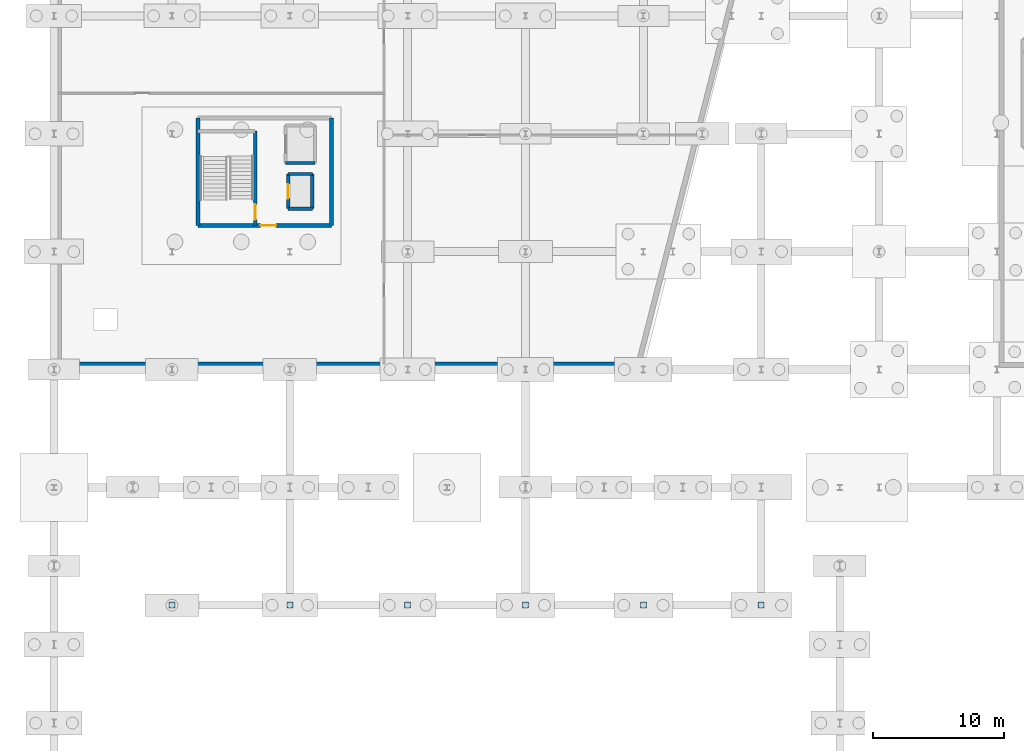
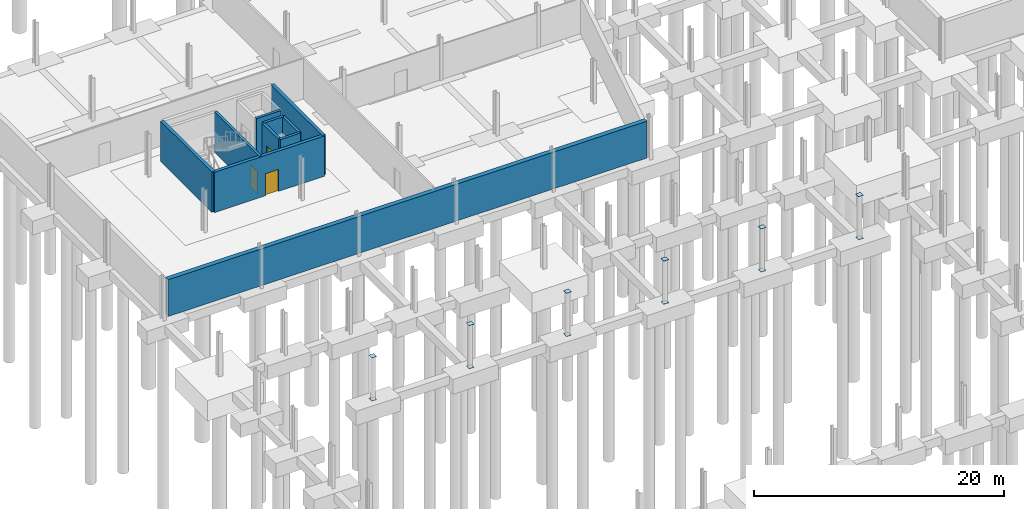
# One storey, part 32 of 42: 12 plates, 10 walls, 3 doors, 3 openings.
"""IFC4 building model written with IfcOpenShell, lengths in metres."""

from ifc_helpers import new_model, si_unit, direction, frame, frame_2d, origin, origin_2d, place, context, subcontext, project, spatial, rectangle, extrude, material, layer, layer_set, type_object, element, fill, save


model = new_model("IFC4")

# Units and contexts
model_context = context("Model", 3, precision=1e-05, world=origin(), true_north=direction((0.0, 1.0)))
body_context = subcontext(model_context, "Body", "Model", "MODEL_VIEW")
ifc_project = project(units=[si_unit("LENGTHUNIT", "METRE"), si_unit("AREAUNIT", "SQUARE_METRE"), si_unit("VOLUMEUNIT", "CUBIC_METRE"), si_unit("PLANEANGLEUNIT", "RADIAN"), si_unit("MASSUNIT", "GRAM", prefix="KILO")], contexts=[model_context])

# Site, building, storey
site_placement = place(None, origin())
site = spatial("IfcSite", under=ifc_project, at=site_placement, CompositionType="ELEMENT")
building_placement = place(site_placement, origin())
building = spatial("IfcBuilding", under=site, at=building_placement, Name="Deido Ridge Mobility Hub", CompositionType="ELEMENT")
storey_placement = place(building_placement, frame((0.0, 0.0, -4.199951171875)))
storey = spatial("IfcBuildingStorey", under=building, at=storey_placement, Name="B1", CompositionType="ELEMENT", Elevation=-4.199951171875)

# Plates
ifc_material_1 = material(Name="Steel S355J2 EN 10025-2", Category="steel")
ifc_layer_1 = layer(ifc_material_1, 0.02197265625, Name="Steel S355J2 EN 10025-2")
ifc_layer_set_1 = layer_set([ifc_layer_1], Name="Steel S355J2 EN 10025-2")
plate_type = type_object("IfcPlateType", Name="PLT-CAP-22", PredefinedType="USERDEFINED", material=ifc_layer_set_1)
for number, where, z_axis, x_axis, name in (
    (1, (9.0, 27.0, -0.02197265625), (0.0, 0.0, 1.0), (1.0, 0.0, 0.0), "Hollow column C10 base cap plate EC2"),
    (2, (9.0, 27.0, 4.199951171875), (0.0, 0.0, 1.0), (1.0, 0.0, 0.0), "Hollow column C10 head cap plate EC2"),
    (3, (18.0, 27.0, -0.02197265625), (0.0, 0.0, 1.0), (1.0, 0.0, 0.0), "Hollow column C10 base cap plate EC2"),
    (4, (18.0, 27.0, 4.199951171875), (0.0, 0.0, 1.0), (1.0, 0.0, 0.0), "Hollow column C10 head cap plate EC2"),
    (5, (27.0, 27.0, -0.02197265625), (0.0, 0.0, 1.0), (1.0, 0.0, 0.0), "Hollow column C10 base cap plate EC2"),
    (6, (27.0, 27.0, 4.199951171875), (0.0, 0.0, 1.0), (1.0, 0.0, 0.0), "Hollow column C10 head cap plate EC2"),
    (7, (36.0, 27.0, -0.02197265625), (0.0, 0.0, 1.0), (1.0, 0.0, 0.0), "Hollow column C10 base cap plate EC2"),
    (8, (36.0, 27.0, 4.199951171875), (0.0, 0.0, 1.0), (1.0, 0.0, 0.0), "Hollow column C10 head cap plate EC2"),
    (9, (45.0, 27.0, -0.02197265625), (0.0, 0.0, 1.0), (1.0, 0.0, 0.0), "Hollow column C10 base cap plate EC2"),
    (10, (45.0, 27.0, 4.199951171875), (0.0, 0.0, 1.0), (1.0, 0.0, 0.0), "Hollow column C10 head cap plate EC2"),
    (11, (54.0, 27.0, -0.02197265625), (0.0, 0.0, 1.0), (1.0, 0.0, 0.0), "Hollow column C10 base cap plate EC2"),
    (12, (54.0, 27.0, 4.199951171875), (0.0, 0.0, 1.0), (1.0, 0.0, 0.0), "Hollow column C10 head cap plate EC2"),
):
    element("IfcPlate", number, at=place(storey_placement, frame(where, z_axis=z_axis, x_axis=x_axis)), inside=storey, type_object=plate_type, Name=name, ObjectType="END CAP PLATE", PredefinedType="USERDEFINED", context=body_context, shape_type="SweptSolid", body=[
        extrude(rectangle(XDim=0.4599609375, YDim=0.4599609375, at=origin_2d()), origin(), (0.0, 0.0, 1.0), 0.02197265625),
    ])

# Wall
ifc_material_2 = material(Name="Concrete C40/50", Category="concrete")
ifc_layer_2 = layer(ifc_material_2, 0.419921875, Name="Concrete C40/50")
ifc_layer_set_2 = layer_set([ifc_layer_2], Name="Concrete C40/50")
wall_type_1 = type_object("IfcWallType", Name="WL-RET-RC-420", PredefinedType="USERDEFINED", material=ifc_layer_set_2)
wall_1_placement = place(storey_placement, frame((0.56005859375, 45.35009765625, 0.0), z_axis=(0.0, 0.0, 1.0), x_axis=(1.0, 0.0, 0.0)))
element("IfcWall", 13, at=wall_1_placement, inside=storey, type_object=wall_type_1, Name="Basement perimeter retaining wall", ObjectType="RETAINING WALL", PredefinedType="USERDEFINED", context=body_context, shape_type="SweptSolid", body=[
    extrude(rectangle(XDim=44.280029296875, YDim=0.419921875, at=frame_2d((22.14013671875, 0.0))), origin(), (0.0, 0.0, 1.0), 3.599853515625),
])

# Wall, opening, door
ifc_layer_3 = layer(ifc_material_2, 0.25, Name="Concrete C40/50")
ifc_layer_set_3 = layer_set([ifc_layer_3], Name="Concrete C40/50")
wall_type_2 = type_object("IfcWallType", Name="WL-SHR-RC-250", PredefinedType="SHEAR", material=ifc_layer_set_3)
wall_2_placement = place(storey_placement, frame((15.360107421875, 56.0, 0.0), z_axis=(0.0, 0.0, 1.0), x_axis=(0.0, 1.0, 0.0)))
wall_2 = element("IfcWall", 14, at=wall_2_placement, inside=storey, type_object=wall_type_2, Name="C6 stair shaft east wall", PredefinedType="SHEAR", context=body_context, shape_type="SweptSolid", body=[
    extrude(rectangle(XDim=7.199951171875, YDim=0.25, at=frame_2d((3.60009765625, 0.0))), origin(), (0.0, 0.0, 1.0), 3.93994140625),
])
opening_1_placement = place(wall_2_placement, frame((0.449951171875, 0.0, 0.0)))
opening_1 = element("IfcOpeningElement", 15, at=opening_1_placement, cuts=wall_2, Name="Opening FD-C6-B1", PredefinedType="OPENING", context=body_context, shape_type="SweptSolid", body=[
    extrude(rectangle(XDim=1.14990234375, YDim=2.14990234375, at=frame_2d((0.574951171875, 1.074951171875))), frame((0.0, 0.135009765625, 0.0), z_axis=(0.0, -1.0, 0.0), x_axis=(1.0, 0.0, 0.0)), (0.0, 0.0, 1.0), 0.27001953125),
])
ifc_material_3 = material(Name="Galvanised steel work", Category="steel")
door_type_1 = type_object("IfcDoorType", Name="DR-FD60-1150X2150", OperationType="NOTDEFINED", PredefinedType="DOOR", material=ifc_material_3)
door_1_placement = place(opening_1_placement, origin())
door_1 = element("IfcDoor", 16, at=door_1_placement, inside=storey, type_object=door_type_1, Name="DR-I0118 C6 protected stair door (B1)", OperationType="SINGLE_SWING_LEFT", OverallHeight=2.14990234375, OverallWidth=1.14990234375, PredefinedType="DOOR", context=body_context, shape_type="SweptSolid", body=[
    extrude(rectangle(XDim=1.14990234375, YDim=2.14990234375, at=frame_2d((0.574951171875, 1.074951171875))), frame((0.0, 0.02490234375, 0.0), z_axis=(0.0, -1.0, 0.0), x_axis=(1.0, 0.0, 0.0)), (0.0, 0.0, 1.0), 0.050048828125),
])
fill(opening_1, door_1)

# Walls
for number, where, z_axis, x_axis, name in (
    (17, (17.875, 57.27490234375, 0.0), (0.0, 0.0, 1.0), (1.0, 0.0, 0.0), "Lift PL4 south shaft wall"),
    (18, (17.875, 59.925048828125, 0.0), (0.0, 0.0, 1.0), (1.0, 0.0, 0.0), "Lift PL4 north shaft wall"),
):
    element("IfcWall", number, at=place(storey_placement, frame(where, z_axis=z_axis, x_axis=x_axis)), inside=storey, type_object=wall_type_2, Name=name, PredefinedType="SHEAR", context=body_context, shape_type="SweptSolid", body=[
        extrude(rectangle(XDim=1.85009765625, YDim=0.25, at=frame_2d((0.925048828125, 0.0))), origin(), (0.0, 0.0, 1.0), 3.93994140625),
    ])
wall_3_placement = place(storey_placement, frame((19.72509765625, 57.27490234375, 0.0), z_axis=(0.0, 0.0, 1.0), x_axis=(0.0, 1.0, 0.0)))
element("IfcWall", 19, at=wall_3_placement, inside=storey, type_object=wall_type_2, Name="Lift PL4 rear shaft wall", PredefinedType="SHEAR", context=body_context, shape_type="SweptSolid", body=[
    extrude(rectangle(XDim=2.650146484375, YDim=0.25, at=frame_2d((1.3251953125, 0.0))), origin(), (0.0, 0.0, 1.0), 3.93994140625),
])

# Wall, opening, door
wall_4_placement = place(storey_placement, frame((17.875, 57.27490234375, 0.0), z_axis=(0.0, 0.0, 1.0), x_axis=(0.0, 1.0, 0.0)))
wall_4 = element("IfcWall", 20, at=wall_4_placement, inside=storey, type_object=wall_type_2, Name="Lift PL4 landing wall", PredefinedType="SHEAR", context=body_context, shape_type="SweptSolid", body=[
    extrude(rectangle(XDim=2.650146484375, YDim=0.25, at=frame_2d((1.3251953125, 0.0))), origin(), (0.0, 0.0, 1.0), 3.93994140625),
])
opening_2_placement = place(wall_4_placement, frame((0.77490234375, 0.0, 0.0)))
opening_2 = element("IfcOpeningElement", 21, at=opening_2_placement, cuts=wall_4, Name="Opening LD-PL4", PredefinedType="OPENING", context=body_context, shape_type="SweptSolid", body=[
    extrude(rectangle(XDim=1.10009765625, YDim=2.14990234375, at=frame_2d((0.550048828125, 1.074951171875))), frame((0.0, 0.135009765625, 0.0), z_axis=(0.0, -1.0, 0.0), x_axis=(1.0, 0.0, 0.0)), (0.0, 0.0, 1.0), 0.27001953125),
])
ifc_material_4 = material(Name="Stainless steel 316", Category="steel")
door_type_2 = type_object("IfcDoorType", Name="DR-LND-PAS-1100X2150", OperationType="DOUBLE_DOOR_SLIDING", PredefinedType="USERDEFINED", material=ifc_material_4)
door_2_placement = place(opening_2_placement, origin())
door_2 = element("IfcDoor", 22, at=door_2_placement, inside=storey, type_object=door_type_2, Name="DR-I0120 Lift PL4 sliding landing door (B1)", ObjectType="LANDING DOOR", OperationType="DOUBLE_DOOR_SLIDING", OverallHeight=2.14990234375, OverallWidth=1.10009765625, PredefinedType="USERDEFINED", context=body_context, shape_type="SweptSolid", body=[
    extrude(rectangle(XDim=1.10009765625, YDim=2.14990234375, at=frame_2d((0.550048828125, 1.074951171875))), frame((0.0, 0.02490234375, 0.0), z_axis=(0.0, -1.0, 0.0), x_axis=(1.0, 0.0, 0.0)), (0.0, 0.0, 1.0), 0.050048828125),
])
fill(opening_2, door_2)

# Wall
wall_5_placement = place(storey_placement, frame((17.675048828125, 60.77490234375, 0.0), z_axis=(0.0, 0.0, 1.0), x_axis=(1.0, 0.0, 0.0)))
element("IfcWall", 23, at=wall_5_placement, inside=storey, type_object=wall_type_2, Name="Lift GL2 south shaft wall", PredefinedType="SHEAR", context=body_context, shape_type="SweptSolid", body=[
    extrude(rectangle(XDim=2.25, YDim=0.25, at=frame_2d((1.125, 0.0))), origin(), (0.0, 0.0, 1.0), 3.93994140625),
])

# Wall, opening, door
ifc_layer_4 = layer(ifc_material_2, 0.300048828125, Name="Concrete C40/50")
ifc_layer_set_4 = layer_set([ifc_layer_4], Name="Concrete C40/50")
wall_type_3 = type_object("IfcWallType", Name="WL-SHR-RC-300", PredefinedType="SHEAR", material=ifc_layer_set_4)
wall_6_placement = place(storey_placement, frame((11.0, 56.0, 0.0), z_axis=(0.0, 0.0, 1.0), x_axis=(1.0, 0.0, 0.0)))
wall_6 = element("IfcWall", 24, at=wall_6_placement, inside=storey, type_object=wall_type_3, Name="C6 south shear wall", PredefinedType="SHEAR", context=body_context, shape_type="SweptSolid", body=[
    extrude(rectangle(XDim=10.199951171875, YDim=0.300048828125, at=frame_2d((5.10009765625, 0.0))), origin(), (0.0, 0.0, 1.0), 3.93994140625),
])
opening_3_placement = place(wall_6_placement, frame((4.75, 0.0, 0.0)))
opening_3 = element("IfcOpeningElement", 25, at=opening_3_placement, cuts=wall_6, Name="Opening LD-C6-119", PredefinedType="OPENING", context=body_context, shape_type="SweptSolid", body=[
    extrude(rectangle(XDim=1.199951171875, YDim=2.14990234375, at=frame_2d((0.60009765625, 1.074951171875))), frame((0.0, 0.16015625, 0.0), z_axis=(0.0, -1.0, 0.0), x_axis=(1.0, 0.0, 0.0)), (0.0, 0.0, 1.0), 0.320068359375),
])
door_type_3 = type_object("IfcDoorType", Name="DR-FD60-1200X2150", OperationType="NOTDEFINED", PredefinedType="DOOR", material=ifc_material_3)
door_3_placement = place(opening_3_placement, origin())
door_3 = element("IfcDoor", 26, at=door_3_placement, inside=storey, type_object=door_type_3, Name="DR-I0119 C6 lift lobby door (B1)", OperationType="SINGLE_SWING_RIGHT", OverallHeight=2.14990234375, OverallWidth=1.199951171875, PredefinedType="DOOR", context=body_context, shape_type="SweptSolid", body=[
    extrude(rectangle(XDim=1.199951171875, YDim=2.14990234375, at=frame_2d((0.60009765625, 1.074951171875))), frame((0.0, 0.02490234375, 0.0), z_axis=(0.0, -1.0, 0.0), x_axis=(1.0, 0.0, 0.0)), (0.0, 0.0, 1.0), 0.050048828125),
])
fill(opening_3, door_3)

# Walls
for number, where, z_axis, x_axis, name in (
    (27, (21.199951171875, 56.0, 0.0), (0.0, 0.0, 1.0), (0.0, 1.0, 0.0), "C6 east shear wall"),
    (28, (11.0, 64.199951171875, 0.0), (0.0, 0.0, 1.0), (0.0, -1.0, 0.0), "C6 west shear wall"),
):
    element("IfcWall", number, at=place(storey_placement, frame(where, z_axis=z_axis, x_axis=x_axis)), inside=storey, type_object=wall_type_3, Name=name, PredefinedType="SHEAR", context=body_context, shape_type="SweptSolid", body=[
        extrude(rectangle(XDim=8.199951171875, YDim=0.300048828125, at=frame_2d((4.10009765625, 0.0))), origin(), (0.0, 0.0, 1.0), 3.93994140625),
    ])

save(model, "model.ifc")
